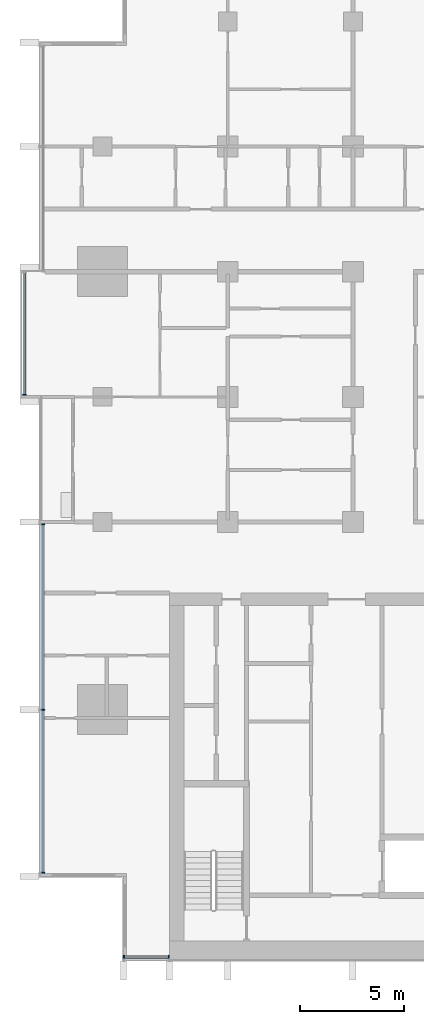
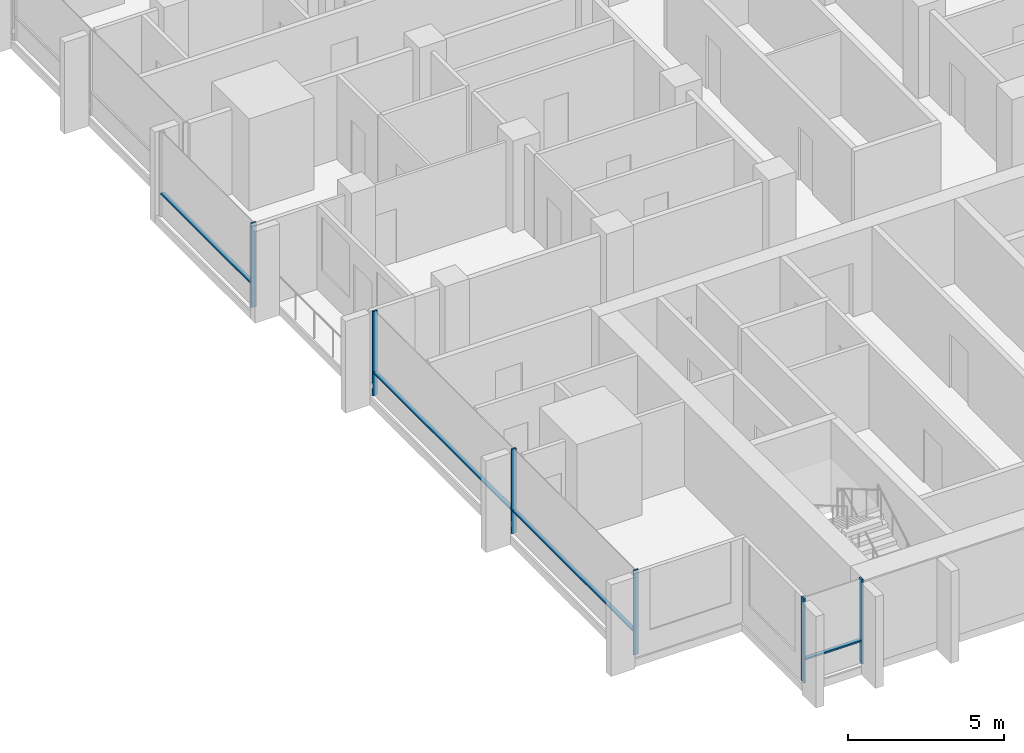
# One storey, part 2 of 17: 10 members, 3 elements without a shape of their own.
"""IFC4 building model written with IfcOpenShell, lengths in metres."""

from ifc_helpers import new_model, si_unit, direction, frame, origin, origin_2d, place, context, subcontext, project, spatial, rectangle, extrude, material, material_profile, profile_set, type_object, element, aggregate, save


model = new_model("IFC4")

# Units and contexts
model_context = context("Model", 3, precision=1e-05, world=origin(), true_north=direction((0.0, 1.0)))
body_context = subcontext(model_context, "Body", "Model", "MODEL_VIEW")
ifc_project = project(units=[si_unit("LENGTHUNIT", "METRE"), si_unit("AREAUNIT", "SQUARE_METRE"), si_unit("VOLUMEUNIT", "CUBIC_METRE"), si_unit("PLANEANGLEUNIT", "RADIAN"), si_unit("MASSUNIT", "GRAM", prefix="KILO")], contexts=[model_context])

# Site, building, storey
site_placement = place(None, origin())
site = spatial("IfcSite", under=ifc_project, at=site_placement, CompositionType="ELEMENT")
building_placement = place(site_placement, origin())
building = spatial("IfcBuilding", under=site, at=building_placement, Name="Finial Court Residences", CompositionType="ELEMENT")
storey_placement = place(building_placement, frame((0.0, 0.0, 192.5)))
storey = spatial("IfcBuildingStorey", under=building, at=storey_placement, Name="L48", CompositionType="ELEMENT", Elevation=192.5)

# Curtain wall, members
ifc_material = material(Name="Bronze anodised aluminium", Category="aluminium")
curtain_wall_type = type_object("IfcCurtainWallType", Name="Unitised curtain wall, upper zones", PredefinedType="NOTDEFINED", material=ifc_material)
curtain_wall_1_placement = place(storey_placement, origin())
curtain_wall_1 = element("IfcCurtainWall", 1, at=curtain_wall_1_placement, inside=storey, type_object=curtain_wall_type, Name="E-L48-CW-S9", PredefinedType="NOTDEFINED")
ifc_material_profile_1 = material_profile(ifc_material, rectangle(XDim=0.175048828125, YDim=0.06005859375, at=origin_2d()), Name="CW2 mullion 60 x 175")
ifc_profile_set_1 = profile_set([ifc_material_profile_1], Name="Bronze anodised aluminium")
member_type_1 = type_object("IfcMemberType", Name="CW2 mullion 60 x 175", PredefinedType="MULLION", material=ifc_profile_set_1)
member_1_placement = place(storey_placement, frame((-15.469970703125, -25.35009765625, 0.0), z_axis=(0.0, 0.0, 1.0), x_axis=(0.0, 1.0, 0.0)))
member_1 = element("IfcMember", 2, at=member_1_placement, type_object=member_type_1, Name="CW2 mullion 1", PredefinedType="MULLION", context=body_context, shape_type="SweptSolid", body=[
    extrude(rectangle(XDim=0.175048828125, YDim=0.06005859375, at=origin_2d()), origin(), (0.0, 0.0, 1.0), 3.300048828125),
])
member_2_placement = place(storey_placement, frame((-13.330078125, -25.35009765625, 0.0), z_axis=(0.0, 0.0, 1.0), x_axis=(0.0, 1.0, 0.0)))
member_2 = element("IfcMember", 3, at=member_2_placement, type_object=member_type_1, Name="CW2 mullion 2", PredefinedType="MULLION", context=body_context, shape_type="SweptSolid", body=[
    extrude(rectangle(XDim=0.175048828125, YDim=0.06005859375, at=origin_2d()), origin(), (0.0, 0.0, 1.0), 3.300048828125),
])

curtain_wall_2_placement = place(storey_placement, origin())
curtain_wall_2 = element("IfcCurtainWall", 4, at=curtain_wall_2_placement, inside=storey, type_object=curtain_wall_type, Name="E-L48-CW-W11", PredefinedType="NOTDEFINED")
member_3_placement = place(storey_placement, frame((-19.35009765625, -21.320068359375, 0.0), z_axis=(0.0, 0.0, 1.0), x_axis=(-1.0, 0.0, 0.0)))
member_3 = element("IfcMember", 5, at=member_3_placement, type_object=member_type_1, Name="CW2 mullion 1", PredefinedType="MULLION", context=body_context, shape_type="SweptSolid", body=[
    extrude(rectangle(XDim=0.175048828125, YDim=0.06005859375, at=origin_2d()), origin(), (0.0, 0.0, 1.0), 3.300048828125),
])
member_4_placement = place(storey_placement, frame((-19.35009765625, -13.5, 0.0), z_axis=(0.0, 0.0, 1.0), x_axis=(-1.0, 0.0, 0.0)))
member_4 = element("IfcMember", 6, at=member_4_placement, type_object=member_type_1, Name="CW2 mullion 2", PredefinedType="MULLION", context=body_context, shape_type="SweptSolid", body=[
    extrude(rectangle(XDim=0.175048828125, YDim=0.06005859375, at=origin_2d()), origin(), (0.0, 0.0, 1.0), 3.300048828125),
])
member_5_placement = place(storey_placement, frame((-19.35009765625, -4.60498046875, 0.0), z_axis=(0.0, 0.0, 1.0), x_axis=(-1.0, 0.0, 0.0)))
member_5 = element("IfcMember", 7, at=member_5_placement, type_object=member_type_1, Name="CW2 mullion 3", PredefinedType="MULLION", context=body_context, shape_type="SweptSolid", body=[
    extrude(rectangle(XDim=0.175048828125, YDim=0.06005859375, at=origin_2d()), origin(), (0.0, 0.0, 1.0), 3.300048828125),
])

# Curtain wall, member
curtain_wall_3_placement = place(storey_placement, origin())
curtain_wall_3 = element("IfcCurtainWall", 8, at=curtain_wall_3_placement, inside=storey, type_object=curtain_wall_type, Name="E-L48-CW-W12", PredefinedType="NOTDEFINED")
member_6_placement = place(storey_placement, frame((-20.25, 1.60498046875, 0.0), z_axis=(0.0, 0.0, 1.0), x_axis=(-1.0, 0.0, 0.0)))
member_6 = element("IfcMember", 9, at=member_6_placement, type_object=member_type_1, Name="CW2 mullion 1", PredefinedType="MULLION", context=body_context, shape_type="SweptSolid", body=[
    extrude(rectangle(XDim=0.175048828125, YDim=0.06005859375, at=origin_2d()), origin(), (0.0, 0.0, 1.0), 3.300048828125),
])

# Member
ifc_material_profile_2 = material_profile(ifc_material, rectangle(XDim=0.139892578125, YDim=0.06005859375, at=origin_2d()), Name="CW2 transom 60 x 140")
ifc_profile_set_2 = profile_set([ifc_material_profile_2], Name="Bronze anodised aluminium")
member_type_2 = type_object("IfcMemberType", Name="CW2 transom 60 x 140", PredefinedType="USERDEFINED", material=ifc_profile_set_2)
member_7_placement = place(storey_placement, frame((-15.43994140625, -25.35009765625, 0.89990234375), z_axis=(1.0, 0.0, 0.0), x_axis=(0.0, 1.0, 0.0)))
member_7 = element("IfcMember", 10, at=member_7_placement, type_object=member_type_2, Name="CW2 transom 1.1", ObjectType="TRANSOM", PredefinedType="USERDEFINED", context=body_context, shape_type="SweptSolid", body=[
    extrude(rectangle(XDim=0.139892578125, YDim=0.06005859375, at=origin_2d()), origin(), (0.0, 0.0, 1.0), 2.079833984375),
])

aggregate(curtain_wall_1, [member_1, member_2, member_7])

member_8_placement = place(storey_placement, frame((-19.35009765625, -21.2900390625, 0.89990234375), z_axis=(0.0, 1.0, 0.0), x_axis=(-1.0, 0.0, 0.0)))
member_8 = element("IfcMember", 11, at=member_8_placement, type_object=member_type_2, Name="CW2 transom 1.1", ObjectType="TRANSOM", PredefinedType="USERDEFINED", context=body_context, shape_type="SweptSolid", body=[
    extrude(rectangle(XDim=0.139892578125, YDim=0.06005859375, at=origin_2d()), origin(), (0.0, 0.0, 1.0), 7.760009765625),
])

member_9_placement = place(storey_placement, frame((-19.35009765625, -13.469970703125, 0.89990234375), z_axis=(0.0, 1.0, 0.0), x_axis=(-1.0, 0.0, 0.0)))
member_9 = element("IfcMember", 12, at=member_9_placement, type_object=member_type_2, Name="CW2 transom 2.1", ObjectType="TRANSOM", PredefinedType="USERDEFINED", context=body_context, shape_type="SweptSolid", body=[
    extrude(rectangle(XDim=0.139892578125, YDim=0.06005859375, at=origin_2d()), origin(), (0.0, 0.0, 1.0), 8.8349609375),
])

aggregate(curtain_wall_2, [member_3, member_4, member_5, member_8, member_9])

member_10_placement = place(storey_placement, frame((-20.25, 1.635009765625, 0.89990234375), z_axis=(0.0, 1.0, 0.0), x_axis=(-1.0, 0.0, 0.0)))
member_10 = element("IfcMember", 13, at=member_10_placement, type_object=member_type_2, Name="CW2 transom 1.1", ObjectType="TRANSOM", PredefinedType="USERDEFINED", context=body_context, shape_type="SweptSolid", body=[
    extrude(rectangle(XDim=0.139892578125, YDim=0.06005859375, at=origin_2d()), origin(), (0.0, 0.0, 1.0), 5.804931640625),
])

aggregate(curtain_wall_3, [member_6, member_10])

save(model, "model.ifc")
